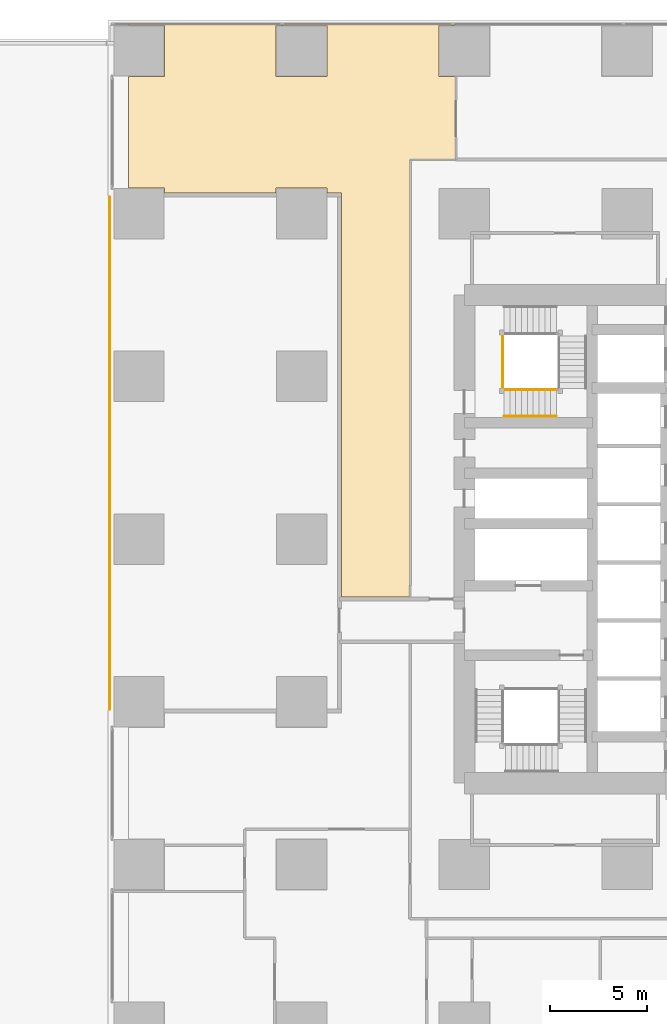
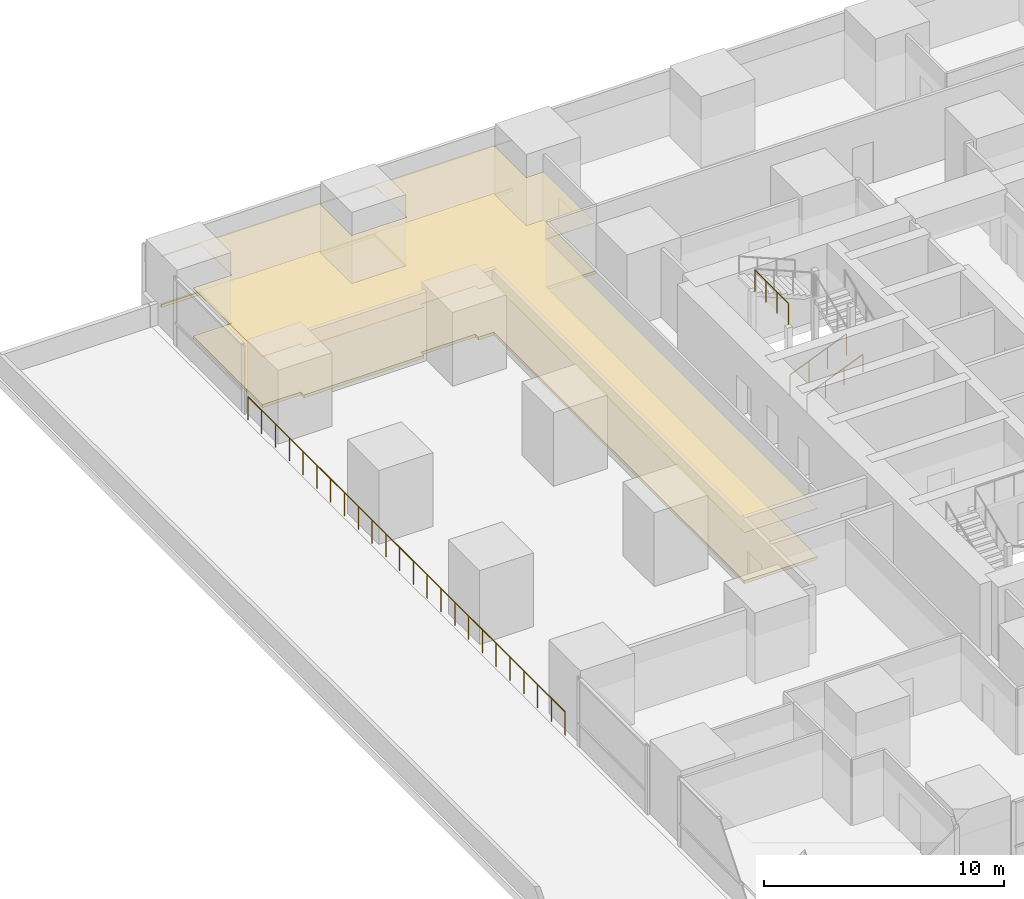
# One storey, part 31 of 35: 4 railings, 2 coverings.
"""IFC4 building model written with IfcOpenShell, lengths in metres."""

from ifc_helpers import new_model, si_unit, direction, frame, origin, origin_2d, place, context, subcontext, project, spatial, polyline, circle, outline, extrude, material, layer, layer_set, type_object, element, save


model = new_model("IFC4")

# Units and contexts
model_context = context("Model", 3, precision=1e-05, world=origin(), true_north=direction((0.0, 1.0)))
body_context = subcontext(model_context, "Body", "Model", "MODEL_VIEW")
ifc_project = project(units=[si_unit("LENGTHUNIT", "METRE"), si_unit("AREAUNIT", "SQUARE_METRE"), si_unit("VOLUMEUNIT", "CUBIC_METRE"), si_unit("PLANEANGLEUNIT", "RADIAN"), si_unit("MASSUNIT", "GRAM", prefix="KILO")], contexts=[model_context])

# Site, building, storey
site_placement = place(None, origin())
site = spatial("IfcSite", under=ifc_project, at=site_placement, CompositionType="ELEMENT")
building_placement = place(site_placement, origin())
building = spatial("IfcBuilding", under=site, at=building_placement, Name="Rekha Terrace Tower", CompositionType="ELEMENT")
storey_placement = place(building_placement, frame((0.0, 0.0, 25.39990234375)))
storey = spatial("IfcBuildingStorey", under=building, at=storey_placement, Name="L05", CompositionType="ELEMENT", Elevation=25.39990234375)

# Covering
ifc_material_1 = material(Name="Mineral fibre tile in exposed grid", Category="finish")
ifc_layer_1 = layer(ifc_material_1, 0.02001953125)
ifc_layer_set_1 = layer_set([ifc_layer_1], Name="Mineral fibre tile in exposed grid")
covering_type_1 = type_object("IfcCoveringType", Name="CL1 600x1200 office grid ceiling", PredefinedType="CEILING", material=ifc_layer_set_1)
covering_1_placement = place(storey_placement, frame((0.0, 0.0, 2.580078125)))
element("IfcCovering", 1, at=covering_1_placement, inside=storey, type_object=covering_type_1, Name="Ceiling L05-15", PredefinedType="CEILING", context=body_context, shape_type="SweptSolid", body=[
    extrude(outline(polyline([(22.39990234375, 31.199951171875), (22.39990234375, 53.199951171875), (24.75, 53.199951171875), (24.75, 57.485107421875), (23.885009765625, 57.485107421875), (23.885009765625, 60.114990234375), (24.75, 60.114990234375), (24.75, 60.199951171875), (7.860107421875, 60.199951171875), (7.860107421875, 60.114990234375), (9.715087890625, 60.114990234375), (9.715087890625, 57.485107421875), (7.860107421875, 57.485107421875), (7.860107421875, 51.715087890625), (9.715087890625, 51.715087890625), (9.715087890625, 51.4609375), (15.485107421875, 51.4609375), (15.485107421875, 51.715087890625), (18.114990234375, 51.715087890625), (18.114990234375, 51.4609375), (18.85107421875, 51.4609375), (18.85107421875, 30.60107421875), (22.375, 30.60107421875), (22.375, 31.199951171875), (22.39990234375, 31.199951171875)]), holes=[polyline([(18.114990234375, 57.485107421875), (15.485107421875, 57.485107421875), (15.485107421875, 60.114990234375), (18.114990234375, 60.114990234375), (18.114990234375, 57.485107421875)])]), origin(), (0.0, 0.0, 1.0), 0.02001953125),
])

# Railings
ifc_material_2 = material(Name="Stainless steel balustrade", Category="steel")
railing_type_1 = type_object("IfcRailingType", Name="GR1 1100 stair guard", PredefinedType="GUARDRAIL", material=ifc_material_2)
railing_1_placement = place(storey_placement, frame((27.25, 41.31494140625, 0.125)))
element("IfcRailing", 2, at=railing_1_placement, inside=storey, type_object=railing_type_1, Name="Guard ST4 L05 flight 1", PredefinedType="GUARDRAIL", context=body_context, shape_type="SweptSolid", body=[
    extrude(circle(Radius=0.02392578125, at=origin_2d()), frame((0.0, 0.0, 1.076171875), z_axis=(0.923074453586, 0.0, 0.384621311341), x_axis=(0.0, 1.0, 0.0)), (0.0, 0.0, 1.0), 2.925048828125),
    extrude(circle(Radius=0.02099609375, at=origin_2d()), origin(), (0.0, 0.0, 1.0), 1.052001953125),
    extrude(circle(Radius=0.02099609375, at=origin_2d()), frame((0.89990234375, 0.0, 0.375)), (0.0, 0.0, 1.0), 1.052001953125),
    extrude(circle(Radius=0.02099609375, at=origin_2d()), frame((1.800048828125, 0.0, 0.75)), (0.0, 0.0, 1.0), 1.052001953125),
    extrude(circle(Radius=0.02099609375, at=origin_2d()), frame((2.699951171875, 0.0, 1.125)), (0.0, 0.0, 1.0), 1.052001953125),
])
railing_2_placement = place(storey_placement, frame((27.18994140625, 41.375, 3.75)))
element("IfcRailing", 3, at=railing_2_placement, inside=storey, type_object=railing_type_1, Name="Guard ST4 L05 landing 4", PredefinedType="GUARDRAIL", context=body_context, shape_type="SweptSolid", body=[
    extrude(circle(Radius=0.02392578125, at=origin_2d()), frame((0.0, 0.0, 1.076171875), z_axis=(0.0, 1.0, 0.0), x_axis=(-1.0, 0.0, 0.0)), (0.0, 0.0, 1.0), 2.77490234375),
    extrude(circle(Radius=0.02099609375, at=origin_2d()), origin(), (0.0, 0.0, 1.0), 1.052001953125),
    extrude(circle(Radius=0.02099609375, at=origin_2d()), frame((0.0, 0.925048828125, 0.0)), (0.0, 0.0, 1.0), 1.052001953125),
    extrude(circle(Radius=0.02099609375, at=origin_2d()), frame((0.0, 1.849853515625, 0.0)), (0.0, 0.0, 1.0), 1.052001953125),
    extrude(circle(Radius=0.02099609375, at=origin_2d()), frame((0.0, 2.77490234375, 0.0)), (0.0, 0.0, 1.0), 1.052001953125),
])
ifc_material_3 = material(Name="Steel guard with vertical balusters", Category="steel")
railing_type_2 = type_object("IfcRailingType", Name="GR2 refuge area guard 1200", PredefinedType="GUARDRAIL", material=ifc_material_3)
railing_3_placement = place(storey_placement, frame((6.89990234375, 24.820068359375, 0.0)))
element("IfcRailing", 4, at=railing_3_placement, inside=storey, type_object=railing_type_2, Name="Refuge area guard L05", PredefinedType="GUARDRAIL", context=body_context, shape_type="SweptSolid", body=[
    extrude(circle(Radius=0.02392578125, at=origin_2d()), frame((0.0, 0.0, 1.17578125), z_axis=(0.0, 1.0, 0.0), x_axis=(-1.0, 0.0, 0.0)), (0.0, 0.0, 1.0), 26.43994140625),
    extrude(circle(Radius=0.02099609375, at=origin_2d()), origin(), (0.0, 0.0, 1.0), 1.15185546875),
    extrude(circle(Radius=0.02099609375, at=origin_2d()), frame((0.0, 1.149658203125, 0.0)), (0.0, 0.0, 1.0), 1.15185546875),
    extrude(circle(Radius=0.02099609375, at=origin_2d()), frame((0.0, 2.299072265625, 0.0)), (0.0, 0.0, 1.0), 1.15185546875),
    extrude(circle(Radius=0.02099609375, at=origin_2d()), frame((0.0, 3.44873046875, 0.0)), (0.0, 0.0, 1.0), 1.15185546875),
    extrude(circle(Radius=0.02099609375, at=origin_2d()), frame((0.0, 4.59814453125, 0.0)), (0.0, 0.0, 1.0), 1.15185546875),
    extrude(circle(Radius=0.02099609375, at=origin_2d()), frame((0.0, 5.747802734375, 0.0)), (0.0, 0.0, 1.0), 1.15185546875),
    extrude(circle(Radius=0.02099609375, at=origin_2d()), frame((0.0, 6.8974609375, 0.0)), (0.0, 0.0, 1.0), 1.15185546875),
    extrude(circle(Radius=0.02099609375, at=origin_2d()), frame((0.0, 8.046875, 0.0)), (0.0, 0.0, 1.0), 1.15185546875),
    extrude(circle(Radius=0.02099609375, at=origin_2d()), frame((0.0, 9.196533203125, 0.0)), (0.0, 0.0, 1.0), 1.15185546875),
    extrude(circle(Radius=0.02099609375, at=origin_2d()), frame((0.0, 10.345947265625, 0.0)), (0.0, 0.0, 1.0), 1.15185546875),
    extrude(circle(Radius=0.02099609375, at=origin_2d()), frame((0.0, 11.49560546875, 0.0)), (0.0, 0.0, 1.0), 1.15185546875),
    extrude(circle(Radius=0.02099609375, at=origin_2d()), frame((0.0, 12.645263671875, 0.0)), (0.0, 0.0, 1.0), 1.15185546875),
    extrude(circle(Radius=0.02099609375, at=origin_2d()), frame((0.0, 13.794677734375, 0.0)), (0.0, 0.0, 1.0), 1.15185546875),
    extrude(circle(Radius=0.02099609375, at=origin_2d()), frame((0.0, 14.9443359375, 0.0)), (0.0, 0.0, 1.0), 1.15185546875),
    extrude(circle(Radius=0.02099609375, at=origin_2d()), frame((0.0, 16.093994140625, 0.0)), (0.0, 0.0, 1.0), 1.15185546875),
    extrude(circle(Radius=0.02099609375, at=origin_2d()), frame((0.0, 17.243408203125, 0.0)), (0.0, 0.0, 1.0), 1.15185546875),
    extrude(circle(Radius=0.02099609375, at=origin_2d()), frame((0.0, 18.39306640625, 0.0)), (0.0, 0.0, 1.0), 1.15185546875),
    extrude(circle(Radius=0.02099609375, at=origin_2d()), frame((0.0, 19.54248046875, 0.0)), (0.0, 0.0, 1.0), 1.15185546875),
    extrude(circle(Radius=0.02099609375, at=origin_2d()), frame((0.0, 20.692138671875, 0.0)), (0.0, 0.0, 1.0), 1.15185546875),
    extrude(circle(Radius=0.02099609375, at=origin_2d()), frame((0.0, 21.841796875, 0.0)), (0.0, 0.0, 1.0), 1.15185546875),
    extrude(circle(Radius=0.02099609375, at=origin_2d()), frame((0.0, 22.9912109375, 0.0)), (0.0, 0.0, 1.0), 1.15185546875),
    extrude(circle(Radius=0.02099609375, at=origin_2d()), frame((0.0, 24.140869140625, 0.0)), (0.0, 0.0, 1.0), 1.15185546875),
    extrude(circle(Radius=0.02099609375, at=origin_2d()), frame((0.0, 25.290283203125, 0.0)), (0.0, 0.0, 1.0), 1.15185546875),
    extrude(circle(Radius=0.02099609375, at=origin_2d()), frame((0.0, 26.43994140625, 0.0)), (0.0, 0.0, 1.0), 1.15185546875),
])
ifc_material_4 = material(Name="Stainless steel tube", Category="steel")
railing_type_3 = type_object("IfcRailingType", Name="HR1 900 stair handrail", PredefinedType="HANDRAIL", material=ifc_material_4)
railing_4_placement = place(storey_placement, frame((27.25, 39.93505859375, 0.125)))
element("IfcRailing", 5, at=railing_4_placement, inside=storey, type_object=railing_type_3, Name="Handrail ST4 L05 flight 1", PredefinedType="HANDRAIL", context=body_context, shape_type="SweptSolid", body=[
    extrude(circle(Radius=0.02392578125, at=origin_2d()), frame((0.0, 0.0, 0.8759765625), z_axis=(0.923074453586, 0.0, 0.384621311341), x_axis=(0.0, 1.0, 0.0)), (0.0, 0.0, 1.0), 2.925048828125),
    extrude(circle(Radius=0.02099609375, at=origin_2d()), origin(), (0.0, 0.0, 1.0), 0.851806640625),
    extrude(circle(Radius=0.02099609375, at=origin_2d()), frame((0.89990234375, 0.0, 0.375)), (0.0, 0.0, 1.0), 0.851806640625),
    extrude(circle(Radius=0.02099609375, at=origin_2d()), frame((1.800048828125, 0.0, 0.75)), (0.0, 0.0, 1.0), 0.851806640625),
    extrude(circle(Radius=0.02099609375, at=origin_2d()), frame((2.699951171875, 0.0, 1.125)), (0.0, 0.0, 1.0), 0.851806640625),
])

# Covering
ifc_material_5 = material(Name="Calcium sulphate panels on steel pedestals", Category="steel")
ifc_layer_2 = layer(ifc_material_5, 0.14990234375)
ifc_layer_set_2 = layer_set([ifc_layer_2], Name="Calcium sulphate panels on steel pedestals")
covering_type_2 = type_object("IfcCoveringType", Name="RF1 150 raised access floor", PredefinedType="FLOORING", material=ifc_layer_set_2)
covering_2_placement = place(storey_placement, origin())
element("IfcCovering", 6, at=covering_2_placement, inside=storey, type_object=covering_type_2, Name="Raised floor L05-15", PredefinedType="FLOORING", context=body_context, shape_type="SweptSolid", body=[
    extrude(outline(polyline([(22.39990234375, 31.199951171875), (22.39990234375, 53.199951171875), (24.75, 53.199951171875), (24.75, 57.485107421875), (23.885009765625, 57.485107421875), (23.885009765625, 60.114990234375), (24.75, 60.114990234375), (24.75, 60.199951171875), (7.860107421875, 60.199951171875), (7.860107421875, 60.114990234375), (9.715087890625, 60.114990234375), (9.715087890625, 57.485107421875), (7.860107421875, 57.485107421875), (7.860107421875, 51.715087890625), (9.715087890625, 51.715087890625), (9.715087890625, 51.4609375), (15.485107421875, 51.4609375), (15.485107421875, 51.715087890625), (18.114990234375, 51.715087890625), (18.114990234375, 51.4609375), (18.85107421875, 51.4609375), (18.85107421875, 30.60107421875), (22.375, 30.60107421875), (22.375, 31.199951171875), (22.39990234375, 31.199951171875)]), holes=[polyline([(18.114990234375, 57.485107421875), (15.485107421875, 57.485107421875), (15.485107421875, 60.114990234375), (18.114990234375, 60.114990234375), (18.114990234375, 57.485107421875)])]), origin(), (0.0, 0.0, 1.0), 0.150146484375),
])

save(model, "model.ifc")
